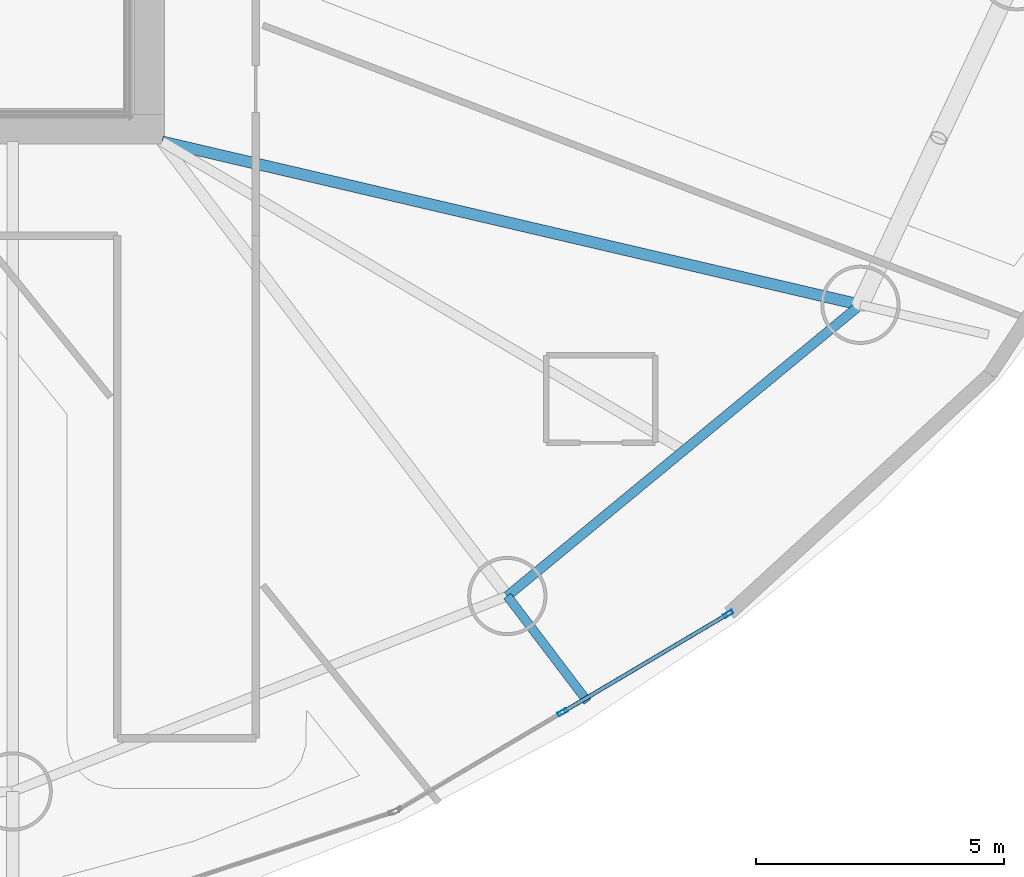
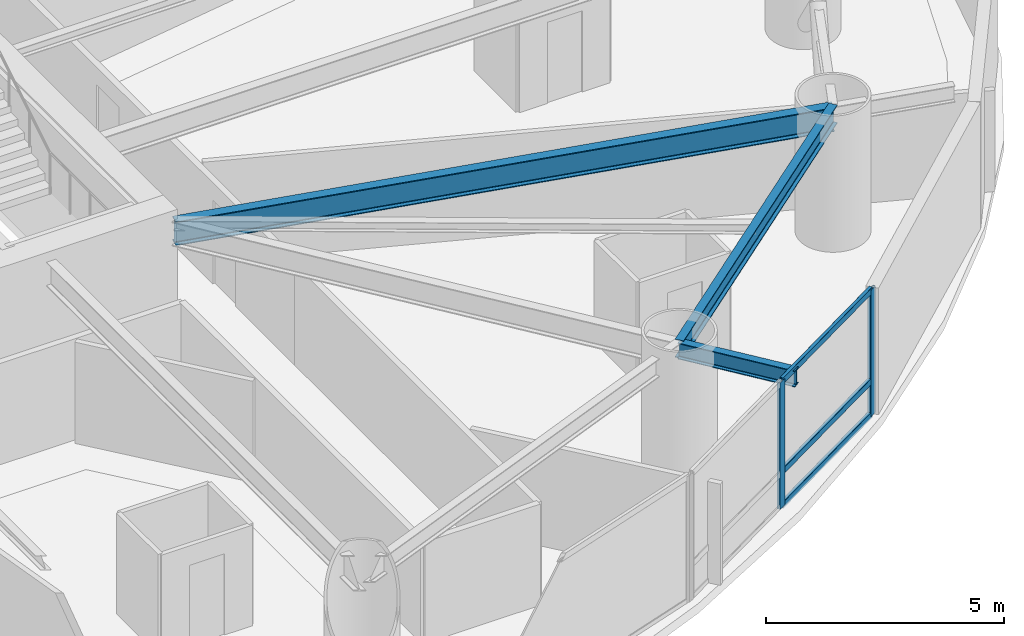
# One storey, part 8 of 25: 5 members, 3 beams, 1 element without a shape of its own.
"""IFC4 building model written with IfcOpenShell, lengths in metres."""

from ifc_helpers import new_model, si_unit, direction, frame, origin, origin_2d, place, context, subcontext, project, spatial, hollow_rectangle, i_section, extrude, material, layer, layer_set, material_profile, profile_set, type_object, element, aggregate, save


model = new_model("IFC4")

# Units and contexts
model_context = context("Model", 3, precision=1e-05, world=origin(), true_north=direction((0.0, 1.0)))
body_context = subcontext(model_context, "Body", "Model", "MODEL_VIEW")
ifc_project = project(units=[si_unit("LENGTHUNIT", "METRE"), si_unit("AREAUNIT", "SQUARE_METRE"), si_unit("VOLUMEUNIT", "CUBIC_METRE"), si_unit("PLANEANGLEUNIT", "RADIAN"), si_unit("MASSUNIT", "GRAM", prefix="KILO")], contexts=[model_context])

# Site, building, storey
site_placement = place(None, origin())
site = spatial("IfcSite", under=ifc_project, at=site_placement, CompositionType="ELEMENT")
building_placement = place(site_placement, origin())
building = spatial("IfcBuilding", under=site, at=building_placement, Name="Bramvorn Convention Spire", CompositionType="ELEMENT")
storey_placement = place(building_placement, frame((0.0, 0.0, 48.39990234375)))
storey = spatial("IfcBuildingStorey", under=building, at=storey_placement, Name="L09", CompositionType="ELEMENT", Elevation=48.39990234375)

# Beams
ifc_material_1 = material(Name="Steel CSA G40.21 Grade 350 (350W)", Category="steel")
ifc_material_profile_1 = material_profile(ifc_material_1, i_section(OverallWidth=0.180908203125, OverallDepth=0.4169921875, WebThickness=0.010986328125, FlangeThickness=0.018310546875, FilletRadius=0.01611328125, at=origin_2d()))
ifc_profile_set_1 = profile_set([ifc_material_profile_1], Name="Steel CSA G40.21 Grade 350 (350W) - W410X85")
beam_type_1 = type_object("IfcBeamType", Name="BM-W410X85", PredefinedType="JOIST", material=ifc_profile_set_1)
beam_1_placement = place(storey_placement, frame((56.227783203125, 9.371337890625, 3.026611328125), z_axis=(0.605191843234, -0.79607966491, 0.0), x_axis=(0.79607966491, 0.605191843234, 0.0)))
element("IfcBeam", 1, at=beam_1_placement, inside=storey, type_object=beam_type_1, Name="L09 Sky-Garden cantilever tip girder MC15", PredefinedType="JOIST", context=body_context, shape_type="SweptSolid", body=[
    extrude(i_section(OverallWidth=0.180908203125, OverallDepth=0.4169921875, WebThickness=0.010986328125, FlangeThickness=0.018310546875, FilletRadius=0.01611328125, at=origin_2d()), origin(), (0.0, 0.0, 1.0), 2.679443359375),
])
ifc_material_profile_2 = material_profile(ifc_material_1, i_section(OverallWidth=0.194091796875, OverallDepth=0.468994140625, WebThickness=0.0126953125, FlangeThickness=0.0205078125, FilletRadius=0.01806640625, at=origin_2d()))
ifc_profile_set_2 = profile_set([ifc_material_profile_2], Name="Steel CSA G40.21 Grade 350 (350W) - W460X106")
beam_type_2 = type_object("IfcBeamType", Name="BM-W460X106", PredefinedType="SPANDREL", material=ifc_profile_set_2)
beam_2_placement = place(storey_placement, frame((56.227783203125, 9.371337890625, 3.015625), z_axis=(0.771417680101, 0.636329130896, 0.0), x_axis=(-0.636329130896, 0.771417680101, 0.0)))
element("IfcBeam", 2, at=beam_2_placement, inside=storey, type_object=beam_type_2, Name="L09 mega-column ring beam 15", PredefinedType="SPANDREL", context=body_context, shape_type="SweptSolid", body=[
    extrude(i_section(OverallWidth=0.194091796875, OverallDepth=0.468994140625, WebThickness=0.0126953125, FlangeThickness=0.0205078125, FilletRadius=0.01806640625, at=origin_2d()), origin(), (0.0, 0.0, 1.0), 9.244140625),
])
ifc_material_profile_3 = material_profile(ifc_material_1, i_section(OverallWidth=0.22998046875, OverallDepth=0.616943359375, WebThickness=0.01318359375, FlangeThickness=0.022216796875, FilletRadius=0.02001953125, at=origin_2d()))
ifc_profile_set_3 = profile_set([ifc_material_profile_3], Name="Steel CSA G40.21 Grade 350 (350W) - W610X140")
beam_type_3 = type_object("IfcBeamType", Name="BM-W610X140", PredefinedType="BEAM", material=ifc_profile_set_3)
beam_3_placement = place(storey_placement, frame((49.25, 18.550048828125, 2.926513671875), z_axis=(0.973775294862, -0.227511923018, 0.0), x_axis=(0.227511923018, 0.973775294862, 0.0)))
element("IfcBeam", 3, at=beam_3_placement, inside=storey, type_object=beam_type_3, Name="L09 Sky-Garden back-span radial girder MC16", PredefinedType="BEAM", context=body_context, shape_type="SweptSolid", body=[
    extrude(i_section(OverallWidth=0.22998046875, OverallDepth=0.616943359375, WebThickness=0.01318359375, FlangeThickness=0.022216796875, FilletRadius=0.02001953125, at=origin_2d()), origin(), (0.0, 0.0, 1.0), 14.48876953125),
])

# Curtain wall, members
ifc_material_2 = material(Name="Anodised Bronze Unitised Curtain Wall", Category="aluminium")
ifc_layer = layer(ifc_material_2, 0.179931640625)
ifc_layer_set = layer_set([ifc_layer], Name="Anodised Bronze Unitised Curtain Wall - CW-HTL-FRIT")
curtain_wall_type = type_object("IfcCurtainWallType", Name="CW-HTL-FRIT", PredefinedType="USERDEFINED", material=ifc_layer_set)
curtain_wall_placement = place(storey_placement, origin())
curtain_wall = element("IfcCurtainWall", 4, at=curtain_wall_placement, inside=storey, type_object=curtain_wall_type, Name="L09 fritted glass curtain wall 21", ObjectType="UNITISED CURTAIN WALL", PredefinedType="USERDEFINED")
ifc_material_3 = material(Name="Anodised Bronze Aluminium 6063-T6", Category="aluminium")
ifc_material_profile_4 = material_profile(ifc_material_3, hollow_rectangle(XDim=0.080078125, YDim=0.199951171875, WallThickness=0.00390625, InnerFilletRadius=0.0009765625, OuterFilletRadius=0.00390625, at=origin_2d()))
ifc_profile_set_4 = profile_set([ifc_material_profile_4], Name="Anodised Bronze Aluminium 6063-T6 - CWM80X200")
member_type_1 = type_object("IfcMemberType", Name="CW-MUL-180", PredefinedType="MULLION", material=ifc_profile_set_4)
member_1_placement = place(storey_placement, frame((60.688720703125, 9.00927734375, 0.0), z_axis=(0.0, 0.0, 1.0), x_axis=(0.510053598347, -0.860142620042, 0.0)))
member_1 = element("IfcMember", 5, at=member_1_placement, type_object=member_type_1, Name="CW2 mullion 1", PredefinedType="MULLION", context=body_context, shape_type="SweptSolid", body=[
    extrude(hollow_rectangle(XDim=0.080078125, YDim=0.199951171875, WallThickness=0.00390625, InnerFilletRadius=0.0009765625, OuterFilletRadius=0.00390625, at=origin_2d()), origin(), (0.0, 0.0, 1.0), 3.25),
])
member_2_placement = place(storey_placement, frame((57.340576171875, 7.02392578125, 0.0), z_axis=(0.0, 0.0, 1.0), x_axis=(0.510053598347, -0.860142620042, 0.0)))
member_2 = element("IfcMember", 6, at=member_2_placement, type_object=member_type_1, Name="CW2 mullion 2", PredefinedType="MULLION", context=body_context, shape_type="SweptSolid", body=[
    extrude(hollow_rectangle(XDim=0.080078125, YDim=0.199951171875, WallThickness=0.00390625, InnerFilletRadius=0.0009765625, OuterFilletRadius=0.00390625, at=origin_2d()), origin(), (0.0, 0.0, 1.0), 3.25),
])
ifc_material_profile_5 = material_profile(ifc_material_3, hollow_rectangle(XDim=0.080078125, YDim=0.159912109375, WallThickness=0.00390625, InnerFilletRadius=0.0009765625, OuterFilletRadius=0.00390625, at=origin_2d()))
ifc_profile_set_5 = profile_set([ifc_material_profile_5], Name="Anodised Bronze Aluminium 6063-T6 - CWT80X160")
member_type_2 = type_object("IfcMemberType", Name="CW-TRN-150", PredefinedType="USERDEFINED", material=ifc_profile_set_5)
member_3_placement = place(storey_placement, frame((60.662841796875, 8.993896484375, 0.030029296875), z_axis=(-0.860156977531, -0.510029385433, 0.0), x_axis=(0.510029385433, -0.860156977531, 0.0)))
member_3 = element("IfcMember", 7, at=member_3_placement, type_object=member_type_2, Name="CW2 transom 1.1", ObjectType="TRANSOM", PredefinedType="USERDEFINED", context=body_context, shape_type="SweptSolid", body=[
    extrude(hollow_rectangle(XDim=0.080078125, YDim=0.159912109375, WallThickness=0.00390625, InnerFilletRadius=0.0009765625, OuterFilletRadius=0.00390625, at=origin_2d()), origin(), (0.0, 0.0, 1.0), 3.832275390625),
])
member_4_placement = place(storey_placement, frame((60.662841796875, 8.993896484375, 0.900146484375), z_axis=(-0.860156977531, -0.510029385433, 0.0), x_axis=(0.510029385433, -0.860156977531, 0.0)))
member_4 = element("IfcMember", 8, at=member_4_placement, type_object=member_type_2, Name="CW2 transom 1.2", ObjectType="TRANSOM", PredefinedType="USERDEFINED", context=body_context, shape_type="SweptSolid", body=[
    extrude(hollow_rectangle(XDim=0.080078125, YDim=0.159912109375, WallThickness=0.00390625, InnerFilletRadius=0.0009765625, OuterFilletRadius=0.00390625, at=origin_2d()), origin(), (0.0, 0.0, 1.0), 3.832275390625),
])
member_5_placement = place(storey_placement, frame((60.662841796875, 8.993896484375, 3.22021484375), z_axis=(-0.860156977531, -0.510029385433, 0.0), x_axis=(0.510029385433, -0.860156977531, 0.0)))
member_5 = element("IfcMember", 9, at=member_5_placement, type_object=member_type_2, Name="CW2 transom 1.3", ObjectType="TRANSOM", PredefinedType="USERDEFINED", context=body_context, shape_type="SweptSolid", body=[
    extrude(hollow_rectangle(XDim=0.080078125, YDim=0.159912109375, WallThickness=0.00390625, InnerFilletRadius=0.0009765625, OuterFilletRadius=0.00390625, at=origin_2d()), origin(), (0.0, 0.0, 1.0), 3.832275390625),
])
aggregate(curtain_wall, [member_1, member_2, member_3, member_4, member_5])

save(model, "model.ifc")
